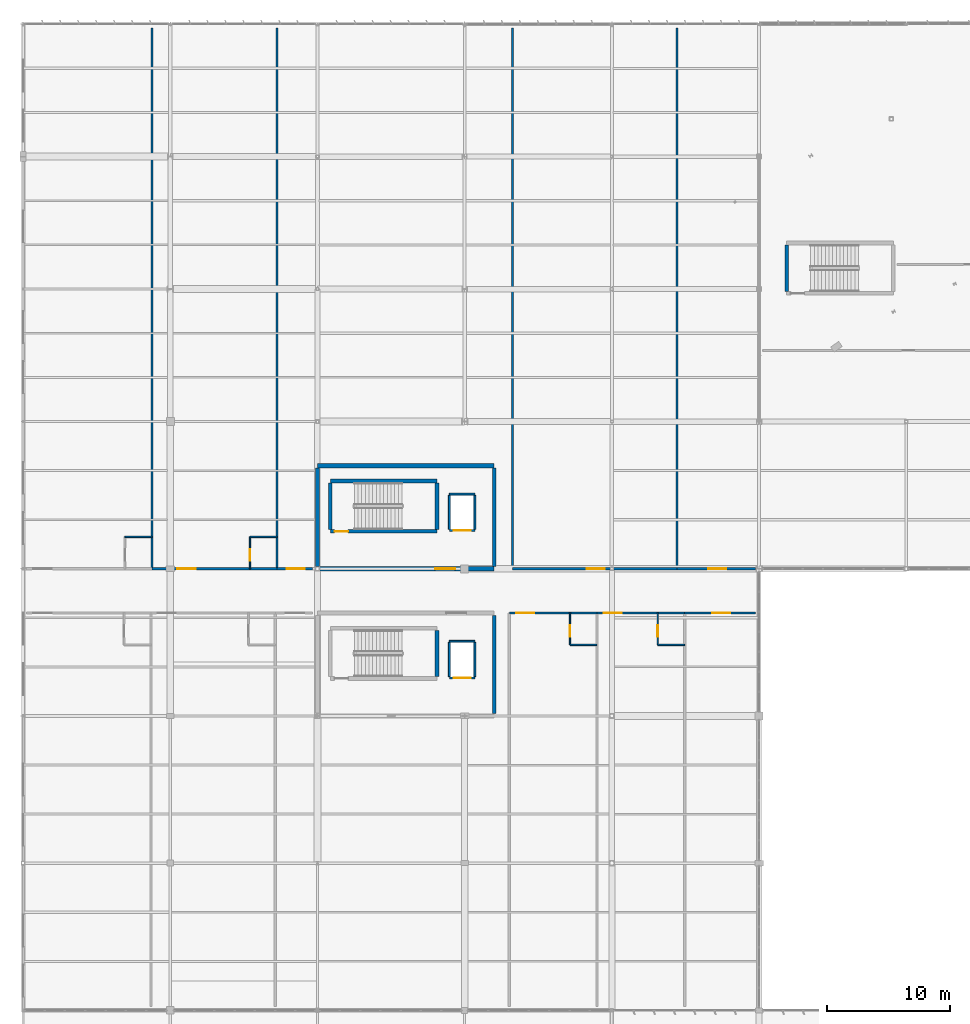
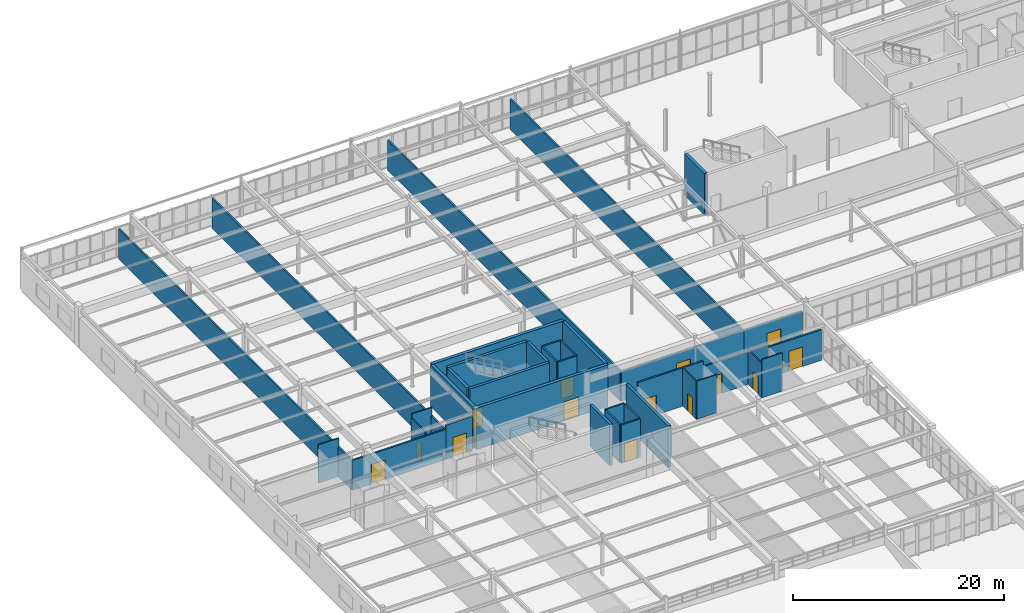
# One storey, part 194 of 226: 37 walls, 14 doors, 14 openings.
"""IFC4 building model written with IfcOpenShell, lengths in metres."""

from ifc_helpers import new_model, si_unit, direction, frame, frame_2d, origin, place, context, subcontext, project, spatial, rectangle, extrude, material, layer, layer_set, type_object, element, fill, save


model = new_model("IFC4")

# Units and contexts
model_context = context("Model", 3, precision=1e-05, world=origin(), true_north=direction((0.0, 1.0)))
body_context = subcontext(model_context, "Body", "Model", "MODEL_VIEW")
ifc_project = project(units=[si_unit("LENGTHUNIT", "METRE"), si_unit("AREAUNIT", "SQUARE_METRE"), si_unit("VOLUMEUNIT", "CUBIC_METRE"), si_unit("PLANEANGLEUNIT", "RADIAN"), si_unit("MASSUNIT", "GRAM", prefix="KILO")], contexts=[model_context])

# Site, building, storey
site_placement = place(None, origin())
site = spatial("IfcSite", under=ifc_project, at=site_placement, CompositionType="ELEMENT")
building_placement = place(site_placement, origin())
building = spatial("IfcBuilding", under=site, at=building_placement, Name="Tarnwether General Hospital", CompositionType="ELEMENT")
storey_placement = place(building_placement, frame((0.0, 0.0, 4.800048828125)))
storey = spatial("IfcBuildingStorey", under=building, at=storey_placement, Name="L01", CompositionType="ELEMENT", Elevation=4.800048828125)

# Wall, opening, door
ifc_material_1 = material(Name="Gypsum plasterboard")
ifc_layer_1 = layer(ifc_material_1, 0.1201171875)
ifc_layer_set_1 = layer_set([ifc_layer_1], Name="Gypsum plasterboard")
wall_type_1 = type_object("IfcWallType", Name="WL-PT120", PredefinedType="PARTITIONING", material=ifc_layer_set_1)
wall_1_placement = place(storey_placement, frame((44.5869140625, 75.39990234375, 0.0), z_axis=(0.0, 0.0, 1.0), x_axis=(0.0, 1.0, 0.0)))
wall_1 = element("IfcWall", 1, at=wall_1_placement, inside=storey, type_object=wall_type_1, Name="Interior Partition PT-L01-0173", PredefinedType="PARTITIONING", context=body_context, shape_type="SweptSolid", body=[
    extrude(rectangle(XDim=2.60009765625, YDim=0.1201171875, at=frame_2d((1.300048828125, 0.0))), origin(), (0.0, 0.0, 1.0), 4.429931640625),
])
opening_1_placement = place(wall_1_placement, frame((0.64990234375, 0.0, 0.0)))
opening_1 = element("IfcOpeningElement", 2, at=opening_1_placement, cuts=wall_1, Name="Opening D-10", PredefinedType="OPENING", context=body_context, shape_type="SweptSolid", body=[
    extrude(rectangle(XDim=0.9599609375, YDim=2.06005859375, at=frame_2d((0.47998046875, 1.030029296875))), frame((0.0, 0.070068359375, 0.0), z_axis=(0.0, -1.0, 0.0), x_axis=(1.0, 0.0, 0.0)), (0.0, 0.0, 1.0), 0.14013671875),
])
ifc_material_2 = material(Name="Anodised aluminium", Category="aluminium")
door_type_1 = type_object("IfcDoorType", Name="DR-IN10", OperationType="NOTDEFINED", PredefinedType="DOOR", material=ifc_material_2)
door_1_placement = place(opening_1_placement, origin())
door_1 = element("IfcDoor", 3, at=door_1_placement, inside=storey, type_object=door_type_1, Name="Interior Door DR-L01-0096", OperationType="SINGLE_SWING_RIGHT", OverallHeight=2.06005859375, OverallWidth=0.9599609375, PredefinedType="DOOR", context=body_context, shape_type="SweptSolid", body=[
    extrude(rectangle(XDim=0.9599609375, YDim=2.06005859375, at=frame_2d((0.47998046875, 1.030029296875))), frame((0.0, 0.02490234375, 0.0), z_axis=(0.0, -1.0, 0.0), x_axis=(1.0, 0.0, 0.0)), (0.0, 0.0, 1.0), 0.050048828125),
])
fill(opening_1, door_1)

# Wall
wall_2_placement = place(storey_placement, frame((44.5869140625, 75.39990234375, 0.0), z_axis=(0.0, 0.0, 1.0), x_axis=(1.0, 0.0, 0.0)))
element("IfcWall", 4, at=wall_2_placement, inside=storey, type_object=wall_type_1, Name="Interior Partition PT-L01-0174", PredefinedType="PARTITIONING", context=body_context, shape_type="SweptSolid", body=[
    extrude(rectangle(XDim=2.2001953125, YDim=0.1201171875, at=frame_2d((1.10009765625, 0.0))), origin(), (0.0, 0.0, 1.0), 4.429931640625),
])

# Wall, opening, door
wall_3_placement = place(storey_placement, frame((51.739013671875, 75.39990234375, 0.0), z_axis=(0.0, 0.0, 1.0), x_axis=(0.0, 1.0, 0.0)))
wall_3 = element("IfcWall", 5, at=wall_3_placement, inside=storey, type_object=wall_type_1, Name="Interior Partition PT-L01-0177", PredefinedType="PARTITIONING", context=body_context, shape_type="SweptSolid", body=[
    extrude(rectangle(XDim=2.60009765625, YDim=0.1201171875, at=frame_2d((1.300048828125, 0.0))), origin(), (0.0, 0.0, 1.0), 4.009033203125),
])
opening_2_placement = place(wall_3_placement, frame((0.64990234375, 0.0, 0.0)))
opening_2 = element("IfcOpeningElement", 6, at=opening_2_placement, cuts=wall_3, Name="Opening D-10", PredefinedType="OPENING", context=body_context, shape_type="SweptSolid", body=[
    extrude(rectangle(XDim=0.9599609375, YDim=2.06005859375, at=frame_2d((0.47998046875, 1.030029296875))), frame((0.0, 0.070068359375, 0.0), z_axis=(0.0, -1.0, 0.0), x_axis=(1.0, 0.0, 0.0)), (0.0, 0.0, 1.0), 0.14013671875),
])
door_2_placement = place(opening_2_placement, origin())
door_2 = element("IfcDoor", 7, at=door_2_placement, inside=storey, type_object=door_type_1, Name="Interior Door DR-L01-0098", OperationType="SINGLE_SWING_RIGHT", OverallHeight=2.06005859375, OverallWidth=0.9599609375, PredefinedType="DOOR", context=body_context, shape_type="SweptSolid", body=[
    extrude(rectangle(XDim=0.9599609375, YDim=2.06005859375, at=frame_2d((0.47998046875, 1.030029296875))), frame((0.0, 0.02490234375, 0.0), z_axis=(0.0, -1.0, 0.0), x_axis=(1.0, 0.0, 0.0)), (0.0, 0.0, 1.0), 0.050048828125),
])
fill(opening_2, door_2)

# Walls
for number, where, z_axis, x_axis, name in (
    (8, (51.739013671875, 75.39990234375, 0.0), (0.0, 0.0, 1.0), (1.0, 0.0, 0.0), "Interior Partition PT-L01-0178"),
    (9, (8.300048828125, 84.199951171875, 0.0), (0.0, 0.0, 1.0), (1.0, 0.0, 0.0), "Interior Partition PT-L01-0183"),
):
    element("IfcWall", number, at=place(storey_placement, frame(where, z_axis=z_axis, x_axis=x_axis)), inside=storey, type_object=wall_type_1, Name=name, PredefinedType="PARTITIONING", context=body_context, shape_type="SweptSolid", body=[
        extrude(rectangle(XDim=2.199951171875, YDim=0.1201171875, at=frame_2d((1.10009765625, 0.0))), origin(), (0.0, 0.0, 1.0), 4.429931640625),
    ])

# Wall, opening, door
wall_4_placement = place(storey_placement, frame((18.5, 81.60009765625, 0.0), z_axis=(0.0, 0.0, 1.0), x_axis=(0.0, 1.0, 0.0)))
wall_4 = element("IfcWall", 10, at=wall_4_placement, inside=storey, type_object=wall_type_1, Name="Interior Partition PT-L01-0186", PredefinedType="PARTITIONING", context=body_context, shape_type="SweptSolid", body=[
    extrude(rectangle(XDim=2.599853515625, YDim=0.1201171875, at=frame_2d((1.2998046875, 0.0))), origin(), (0.0, 0.0, 1.0), 3.9580078125),
])
opening_3_placement = place(wall_4_placement, frame((0.64990234375, 0.0, 0.0)))
opening_3 = element("IfcOpeningElement", 11, at=opening_3_placement, cuts=wall_4, Name="Opening D-10", PredefinedType="OPENING", context=body_context, shape_type="SweptSolid", body=[
    extrude(rectangle(XDim=0.9599609375, YDim=2.06005859375, at=frame_2d((0.47998046875, 1.030029296875))), frame((0.0, 0.070068359375, 0.0), z_axis=(0.0, -1.0, 0.0), x_axis=(1.0, 0.0, 0.0)), (0.0, 0.0, 1.0), 0.14013671875),
])
door_3_placement = place(opening_3_placement, origin())
door_3 = element("IfcDoor", 12, at=door_3_placement, inside=storey, type_object=door_type_1, Name="Interior Door DR-L01-0103", OperationType="SINGLE_SWING_LEFT", OverallHeight=2.06005859375, OverallWidth=0.9599609375, PredefinedType="DOOR", context=body_context, shape_type="SweptSolid", body=[
    extrude(rectangle(XDim=0.9599609375, YDim=2.06005859375, at=frame_2d((0.47998046875, 1.030029296875))), frame((0.0, 0.02490234375, 0.0), z_axis=(0.0, -1.0, 0.0), x_axis=(1.0, 0.0, 0.0)), (0.0, 0.0, 1.0), 0.050048828125),
])
fill(opening_3, door_3)

# Wall
wall_5_placement = place(storey_placement, frame((18.5, 84.199951171875, 0.0), z_axis=(0.0, 0.0, 1.0), x_axis=(1.0, 0.0, 0.0)))
element("IfcWall", 13, at=wall_5_placement, inside=storey, type_object=wall_type_1, Name="Interior Partition PT-L01-0187", PredefinedType="PARTITIONING", context=body_context, shape_type="SweptSolid", body=[
    extrude(rectangle(XDim=2.199951171875, YDim=0.1201171875, at=frame_2d((1.10009765625, 0.0))), origin(), (0.0, 0.0, 1.0), 4.429931640625),
])

# Wall, opening, door
ifc_material_3 = material(Name="Gypsum plasterboard")
ifc_layer_2 = layer(ifc_material_3, 0.159912109375)
ifc_layer_set_2 = layer_set([ifc_layer_2], Name="Gypsum plasterboard")
wall_type_2 = type_object("IfcWallType", Name="WL-PT160", PredefinedType="PARTITIONING", material=ifc_layer_set_2)
wall_6_placement = place(storey_placement, frame((34.760009765625, 72.7099609375, 0.0), z_axis=(0.0, 0.0, 1.0), x_axis=(1.0, 0.0, 0.0)))
wall_6 = element("IfcWall", 14, at=wall_6_placement, inside=storey, type_object=wall_type_2, Name="Lift L-07 Shaft Wall LSH-L-07-L01-S", PredefinedType="PARTITIONING", context=body_context, shape_type="SweptSolid", body=[
    extrude(rectangle(XDim=2.080078125, YDim=0.159912109375, at=frame_2d((1.0400390625, 0.0))), origin(), (0.0, 0.0, 1.0), 4.429931640625),
])
opening_4_placement = place(wall_6_placement, frame((0.340087890625, 0.0, 0.0)))
opening_4 = element("IfcOpeningElement", 15, at=opening_4_placement, cuts=wall_6, Name="Opening LD-01", PredefinedType="OPENING", context=body_context, shape_type="SweptSolid", body=[
    extrude(rectangle(XDim=1.39990234375, YDim=2.199951171875, at=frame_2d((0.699951171875, 1.10009765625))), frame((0.0, 0.08984375, 0.0), z_axis=(0.0, -1.0, 0.0), x_axis=(1.0, 0.0, 0.0)), (0.0, 0.0, 1.0), 0.179931640625),
])
ifc_material_4 = material(Name="Anodised aluminium", Category="aluminium")
door_type_2 = type_object("IfcDoorType", Name="DR-LD01", OperationType="NOTDEFINED", PredefinedType="DOOR", material=ifc_material_4)
door_4_placement = place(opening_4_placement, origin())
door_4 = element("IfcDoor", 16, at=door_4_placement, inside=storey, type_object=door_type_2, Name="Lift L-07 Sliding Landing Door L01", OperationType="SLIDING_TO_LEFT", OverallHeight=2.199951171875, OverallWidth=1.39990234375, PredefinedType="DOOR", context=body_context, shape_type="SweptSolid", body=[
    extrude(rectangle(XDim=1.39990234375, YDim=2.199951171875, at=frame_2d((0.699951171875, 1.10009765625))), frame((0.0, 0.02490234375, 0.0), z_axis=(0.0, -1.0, 0.0), x_axis=(1.0, 0.0, 0.0)), (0.0, 0.0, 1.0), 0.050048828125),
])
fill(opening_4, door_4)

# Walls
wall_7_placement = place(storey_placement, frame((36.840087890625, 75.68994140625, 0.0), z_axis=(0.0, 0.0, 1.0), x_axis=(-1.0, 0.0, 0.0)))
element("IfcWall", 17, at=wall_7_placement, inside=storey, type_object=wall_type_2, Name="Lift L-07 Shaft Wall LSH-L-07-L01-N", PredefinedType="PARTITIONING", context=body_context, shape_type="SweptSolid", body=[
    extrude(rectangle(XDim=2.080078125, YDim=0.159912109375, at=frame_2d((1.0400390625, 0.0))), origin(), (0.0, 0.0, 1.0), 4.429931640625),
])
for number, where, z_axis, x_axis, name in (
    (18, (34.760009765625, 75.590087890625, 0.0), (0.0, 0.0, 1.0), (0.0, -1.0, 0.0), "Lift L-07 Shaft Wall LSH-L-07-L01-W"),
    (19, (36.840087890625, 72.81005859375, 0.0), (0.0, 0.0, 1.0), (0.0, 1.0, 0.0), "Lift L-07 Shaft Wall LSH-L-07-L01-E"),
):
    element("IfcWall", number, at=place(storey_placement, frame(where, z_axis=z_axis, x_axis=x_axis)), inside=storey, type_object=wall_type_2, Name=name, PredefinedType="PARTITIONING", context=body_context, shape_type="SweptSolid", body=[
        extrude(rectangle(XDim=2.780029296875, YDim=0.159912109375, at=frame_2d((1.39013671875, 0.0))), origin(), (0.0, 0.0, 1.0), 4.429931640625),
    ])

# Wall, opening, door
wall_8_placement = place(storey_placement, frame((34.760009765625, 84.7099609375, 0.0), z_axis=(0.0, 0.0, 1.0), x_axis=(1.0, 0.0, 0.0)))
wall_8 = element("IfcWall", 20, at=wall_8_placement, inside=storey, type_object=wall_type_2, Name="Lift L-08 Shaft Wall LSH-L-08-L01-S", PredefinedType="PARTITIONING", context=body_context, shape_type="SweptSolid", body=[
    extrude(rectangle(XDim=2.080078125, YDim=0.159912109375, at=frame_2d((1.0400390625, 0.0))), origin(), (0.0, 0.0, 1.0), 4.429931640625),
])
opening_5_placement = place(wall_8_placement, frame((0.340087890625, 0.0, 0.0)))
opening_5 = element("IfcOpeningElement", 21, at=opening_5_placement, cuts=wall_8, Name="Opening LD-01", PredefinedType="OPENING", context=body_context, shape_type="SweptSolid", body=[
    extrude(rectangle(XDim=1.39990234375, YDim=2.199951171875, at=frame_2d((0.699951171875, 1.10009765625))), frame((0.0, 0.08984375, 0.0), z_axis=(0.0, -1.0, 0.0), x_axis=(1.0, 0.0, 0.0)), (0.0, 0.0, 1.0), 0.179931640625),
])
door_5_placement = place(opening_5_placement, origin())
door_5 = element("IfcDoor", 22, at=door_5_placement, inside=storey, type_object=door_type_2, Name="Lift L-08 Sliding Landing Door L01", OperationType="SLIDING_TO_LEFT", OverallHeight=2.199951171875, OverallWidth=1.39990234375, PredefinedType="DOOR", context=body_context, shape_type="SweptSolid", body=[
    extrude(rectangle(XDim=1.39990234375, YDim=2.199951171875, at=frame_2d((0.699951171875, 1.10009765625))), frame((0.0, 0.02490234375, 0.0), z_axis=(0.0, -1.0, 0.0), x_axis=(1.0, 0.0, 0.0)), (0.0, 0.0, 1.0), 0.050048828125),
])
fill(opening_5, door_5)

# Walls
wall_9_placement = place(storey_placement, frame((36.840087890625, 87.68994140625, 0.0), z_axis=(0.0, 0.0, 1.0), x_axis=(-1.0, 0.0, 0.0)))
element("IfcWall", 23, at=wall_9_placement, inside=storey, type_object=wall_type_2, Name="Lift L-08 Shaft Wall LSH-L-08-L01-N", PredefinedType="PARTITIONING", context=body_context, shape_type="SweptSolid", body=[
    extrude(rectangle(XDim=2.080078125, YDim=0.159912109375, at=frame_2d((1.0400390625, 0.0))), origin(), (0.0, 0.0, 1.0), 4.429931640625),
])
for number, where, z_axis, x_axis, name in (
    (24, (34.760009765625, 87.590087890625, 0.0), (0.0, 0.0, 1.0), (0.0, -1.0, 0.0), "Lift L-08 Shaft Wall LSH-L-08-L01-W"),
    (25, (36.840087890625, 84.81005859375, 0.0), (0.0, 0.0, 1.0), (0.0, 1.0, 0.0), "Lift L-08 Shaft Wall LSH-L-08-L01-E"),
):
    element("IfcWall", number, at=place(storey_placement, frame(where, z_axis=z_axis, x_axis=x_axis)), inside=storey, type_object=wall_type_2, Name=name, PredefinedType="PARTITIONING", context=body_context, shape_type="SweptSolid", body=[
        extrude(rectangle(XDim=2.780029296875, YDim=0.159912109375, at=frame_2d((1.39013671875, 0.0))), origin(), (0.0, 0.0, 1.0), 4.429931640625),
    ])

# Wall, opening, door
ifc_material_5 = material(Name="Gypsum plasterboard")
ifc_layer_3 = layer(ifc_material_5, 0.179931640625)
ifc_layer_set_3 = layer_set([ifc_layer_3], Name="Gypsum plasterboard")
wall_type_3 = type_object("IfcWallType", Name="WL-PT180", PredefinedType="PARTITIONING", material=ifc_layer_set_3)
wall_10_placement = place(storey_placement, frame((39.635009765625, 78.0, 0.0), z_axis=(0.0, 0.0, 1.0), x_axis=(1.0, 0.0, 0.0)))
wall_10 = element("IfcWall", 26, at=wall_10_placement, inside=storey, type_object=wall_type_3, Name="Interior Partition PT-L01-0175", PredefinedType="PARTITIONING", context=body_context, shape_type="SweptSolid", body=[
    extrude(rectangle(XDim=7.152099609375, YDim=0.179931640625, at=frame_2d((3.576171875, 0.0))), origin(), (0.0, 0.0, 1.0), 4.429931640625),
])
opening_6_placement = place(wall_10_placement, frame((0.550048828125, 0.0, 0.0)))
opening_6 = element("IfcOpeningElement", 27, at=opening_6_placement, cuts=wall_10, Name="Opening SD-03", PredefinedType="OPENING", context=body_context, shape_type="SweptSolid", body=[
    extrude(rectangle(XDim=1.47998046875, YDim=2.260009765625, at=frame_2d((0.739990234375, 1.1298828125))), frame((0.0, 0.10009765625, 0.0), z_axis=(0.0, -1.0, 0.0), x_axis=(1.0, 0.0, 0.0)), (0.0, 0.0, 1.0), 0.199951171875),
])
ifc_material_6 = material(Name="Anodised aluminium", Category="aluminium")
door_type_3 = type_object("IfcDoorType", Name="DR-OR03", OperationType="NOTDEFINED", PredefinedType="DOOR", material=ifc_material_6)
door_6_placement = place(opening_6_placement, origin())
door_6 = element("IfcDoor", 28, at=door_6_placement, inside=storey, type_object=door_type_3, Name="Interior Door DR-L01-0097", OperationType="SLIDING_TO_LEFT", OverallHeight=2.260009765625, OverallWidth=1.47998046875, PredefinedType="DOOR", context=body_context, shape_type="SweptSolid", body=[
    extrude(rectangle(XDim=1.47998046875, YDim=2.260009765625, at=frame_2d((0.739990234375, 1.1298828125))), frame((0.0, 0.02490234375, 0.0), z_axis=(0.0, -1.0, 0.0), x_axis=(1.0, 0.0, 0.0)), (0.0, 0.0, 1.0), 0.050048828125),
])
fill(opening_6, door_6)

wall_11_placement = place(storey_placement, frame((46.787109375, 78.0, 0.0), z_axis=(0.0, 0.0, 1.0), x_axis=(1.0, 0.0, 0.0)))
wall_11 = element("IfcWall", 29, at=wall_11_placement, inside=storey, type_object=wall_type_3, Name="Interior Partition PT-L01-0179", PredefinedType="PARTITIONING", context=body_context, shape_type="SweptSolid", body=[
    extrude(rectangle(XDim=7.15185546875, YDim=0.179931640625, at=frame_2d((3.575927734375, 0.0))), origin(), (0.0, 0.0, 1.0), 3.764892578125),
])
opening_7_placement = place(wall_11_placement, frame((0.550048828125, 0.0, 0.0)))
opening_7 = element("IfcOpeningElement", 30, at=opening_7_placement, cuts=wall_11, Name="Opening SD-03", PredefinedType="OPENING", context=body_context, shape_type="SweptSolid", body=[
    extrude(rectangle(XDim=1.47998046875, YDim=2.260009765625, at=frame_2d((0.739990234375, 1.1298828125))), frame((0.0, 0.10009765625, 0.0), z_axis=(0.0, -1.0, 0.0), x_axis=(1.0, 0.0, 0.0)), (0.0, 0.0, 1.0), 0.199951171875),
])
door_7_placement = place(opening_7_placement, origin())
door_7 = element("IfcDoor", 31, at=door_7_placement, inside=storey, type_object=door_type_3, Name="Interior Door DR-L01-0099", OperationType="SLIDING_TO_LEFT", OverallHeight=2.260009765625, OverallWidth=1.47998046875, PredefinedType="DOOR", context=body_context, shape_type="SweptSolid", body=[
    extrude(rectangle(XDim=1.47998046875, YDim=2.260009765625, at=frame_2d((0.739990234375, 1.1298828125))), frame((0.0, 0.02490234375, 0.0), z_axis=(0.0, -1.0, 0.0), x_axis=(1.0, 0.0, 0.0)), (0.0, 0.0, 1.0), 0.050048828125),
])
fill(opening_7, door_7)

wall_12_placement = place(storey_placement, frame((53.93896484375, 78.0, 0.0), z_axis=(0.0, 0.0, 1.0), x_axis=(1.0, 0.0, 0.0)))
wall_12 = element("IfcWall", 32, at=wall_12_placement, inside=storey, type_object=wall_type_3, Name="Interior Partition PT-L01-0181", PredefinedType="PARTITIONING", context=body_context, shape_type="SweptSolid", body=[
    extrude(rectangle(XDim=5.760986328125, YDim=0.179931640625, at=frame_2d((2.88037109375, 0.0))), origin(), (0.0, 0.0, 1.0), 3.530029296875),
])
opening_8_placement = place(wall_12_placement, frame((2.23095703125, 0.0, 0.0)))
opening_8 = element("IfcOpeningElement", 33, at=opening_8_placement, cuts=wall_12, Name="Opening SD-03", PredefinedType="OPENING", context=body_context, shape_type="SweptSolid", body=[
    extrude(rectangle(XDim=1.47998046875, YDim=2.260009765625, at=frame_2d((0.739990234375, 1.1298828125))), frame((0.0, 0.10009765625, 0.0), z_axis=(0.0, -1.0, 0.0), x_axis=(1.0, 0.0, 0.0)), (0.0, 0.0, 1.0), 0.199951171875),
])
door_8_placement = place(opening_8_placement, origin())
door_8 = element("IfcDoor", 34, at=door_8_placement, inside=storey, type_object=door_type_3, Name="Interior Door DR-L01-0100", OperationType="SLIDING_TO_LEFT", OverallHeight=2.260009765625, OverallWidth=1.47998046875, PredefinedType="DOOR", context=body_context, shape_type="SweptSolid", body=[
    extrude(rectangle(XDim=1.47998046875, YDim=2.260009765625, at=frame_2d((0.739990234375, 1.1298828125))), frame((0.0, 0.02490234375, 0.0), z_axis=(0.0, -1.0, 0.0), x_axis=(1.0, 0.0, 0.0)), (0.0, 0.0, 1.0), 0.050048828125),
])
fill(opening_8, door_8)

# Wall
wall_13_placement = place(storey_placement, frame((10.5, 81.60009765625, 0.0), z_axis=(0.0, 0.0, 1.0), x_axis=(0.0, 1.0, 0.0)))
element("IfcWall", 35, at=wall_13_placement, inside=storey, type_object=wall_type_3, Name="Interior Partition PT-L01-0185", PredefinedType="PARTITIONING", context=body_context, shape_type="SweptSolid", body=[
    extrude(rectangle(XDim=44.099853515625, YDim=0.179931640625, at=frame_2d((22.0498046875, 0.0))), origin(), (0.0, 0.0, 1.0), 3.46484375),
])

# Wall, opening, door
wall_14_placement = place(storey_placement, frame((10.5, 81.60009765625, 0.0), z_axis=(0.0, 0.0, 1.0), x_axis=(1.0, 0.0, 0.0)))
wall_14 = element("IfcWall", 36, at=wall_14_placement, inside=storey, type_object=wall_type_3, Name="Interior Partition PT-L01-0188", PredefinedType="PARTITIONING", context=body_context, shape_type="SweptSolid", body=[
    extrude(rectangle(XDim=10.199951171875, YDim=0.179931640625, at=frame_2d((5.10009765625, 0.0))), origin(), (0.0, 0.0, 1.0), 3.46484375),
])
opening_9_placement = place(wall_14_placement, frame((2.076904296875, 0.0, 0.0)))
opening_9 = element("IfcOpeningElement", 37, at=opening_9_placement, cuts=wall_14, Name="Opening SD-03", PredefinedType="OPENING", context=body_context, shape_type="SweptSolid", body=[
    extrude(rectangle(XDim=1.47998046875, YDim=2.260009765625, at=frame_2d((0.739990234375, 1.1298828125))), frame((0.0, 0.10009765625, 0.0), z_axis=(0.0, -1.0, 0.0), x_axis=(1.0, 0.0, 0.0)), (0.0, 0.0, 1.0), 0.199951171875),
])
door_9_placement = place(opening_9_placement, origin())
door_9 = element("IfcDoor", 38, at=door_9_placement, inside=storey, type_object=door_type_3, Name="Interior Door DR-L01-0104", OperationType="SLIDING_TO_LEFT", OverallHeight=2.260009765625, OverallWidth=1.47998046875, PredefinedType="DOOR", context=body_context, shape_type="SweptSolid", body=[
    extrude(rectangle(XDim=1.47998046875, YDim=2.260009765625, at=frame_2d((0.739990234375, 1.1298828125))), frame((0.0, 0.02490234375, 0.0), z_axis=(0.0, -1.0, 0.0), x_axis=(1.0, 0.0, 0.0)), (0.0, 0.0, 1.0), 0.050048828125),
])
fill(opening_9, door_9)

# Wall
wall_15_placement = place(storey_placement, frame((20.699951171875, 81.60009765625, 0.0), z_axis=(0.0, 0.0, 1.0), x_axis=(0.0, 1.0, 0.0)))
element("IfcWall", 39, at=wall_15_placement, inside=storey, type_object=wall_type_3, Name="Interior Partition PT-L01-0189", PredefinedType="PARTITIONING", context=body_context, shape_type="SweptSolid", body=[
    extrude(rectangle(XDim=44.099853515625, YDim=0.179931640625, at=frame_2d((22.0498046875, 0.0))), origin(), (0.0, 0.0, 1.0), 3.46484375),
])

# Wall, opening, door
wall_16_placement = place(storey_placement, frame((20.699951171875, 81.60009765625, 0.0), z_axis=(0.0, 0.0, 1.0), x_axis=(1.0, 0.0, 0.0)))
wall_16 = element("IfcWall", 40, at=wall_16_placement, inside=storey, type_object=wall_type_3, Name="Interior Partition PT-L01-0190", PredefinedType="PARTITIONING", context=body_context, shape_type="SweptSolid", body=[
    extrude(rectangle(XDim=2.900146484375, YDim=0.179931640625, at=frame_2d((1.4501953125, 0.0))), origin(), (0.0, 0.0, 1.0), 3.9580078125),
])
opening_10_placement = place(wall_16_placement, frame((0.800048828125, 0.0, 0.0)))
opening_10 = element("IfcOpeningElement", 41, at=opening_10_placement, cuts=wall_16, Name="Opening SD-03", PredefinedType="OPENING", context=body_context, shape_type="SweptSolid", body=[
    extrude(rectangle(XDim=1.47998046875, YDim=2.260009765625, at=frame_2d((0.739990234375, 1.1298828125))), frame((0.0, 0.10009765625, 0.0), z_axis=(0.0, -1.0, 0.0), x_axis=(1.0, 0.0, 0.0)), (0.0, 0.0, 1.0), 0.199951171875),
])
door_10_placement = place(opening_10_placement, origin())
door_10 = element("IfcDoor", 42, at=door_10_placement, inside=storey, type_object=door_type_3, Name="Interior Door DR-L01-0105", OperationType="SLIDING_TO_LEFT", OverallHeight=2.260009765625, OverallWidth=1.47998046875, PredefinedType="DOOR", context=body_context, shape_type="SweptSolid", body=[
    extrude(rectangle(XDim=1.47998046875, YDim=2.260009765625, at=frame_2d((0.739990234375, 1.1298828125))), frame((0.0, 0.02490234375, 0.0), z_axis=(0.0, -1.0, 0.0), x_axis=(1.0, 0.0, 0.0)), (0.0, 0.0, 1.0), 0.050048828125),
])
fill(opening_10, door_10)

# Wall
wall_17_placement = place(storey_placement, frame((39.89990234375, 81.60009765625, 0.0), z_axis=(0.0, 0.0, 1.0), x_axis=(0.0, 1.0, 0.0)))
element("IfcWall", 43, at=wall_17_placement, inside=storey, type_object=wall_type_3, Name="Interior Partition PT-L01-0191", PredefinedType="PARTITIONING", context=body_context, shape_type="SweptSolid", body=[
    extrude(rectangle(XDim=44.099853515625, YDim=0.179931640625, at=frame_2d((22.0498046875, 0.0))), origin(), (0.0, 0.0, 1.0), 3.46484375),
])

# Wall, opening, door
wall_18_placement = place(storey_placement, frame((39.89990234375, 81.60009765625, 0.0), z_axis=(0.0, 0.0, 1.0), x_axis=(1.0, 0.0, 0.0)))
wall_18 = element("IfcWall", 44, at=wall_18_placement, inside=storey, type_object=wall_type_3, Name="Interior Partition PT-L01-0192", PredefinedType="PARTITIONING", context=body_context, shape_type="SweptSolid", body=[
    extrude(rectangle(XDim=13.400146484375, YDim=0.179931640625, at=frame_2d((6.7001953125, 0.0))), origin(), (0.0, 0.0, 1.0), 3.46484375),
])
opening_11_placement = place(wall_18_placement, frame((6.050048828125, 0.0, 0.0)))
opening_11 = element("IfcOpeningElement", 45, at=opening_11_placement, cuts=wall_18, Name="Opening SD-03", PredefinedType="OPENING", context=body_context, shape_type="SweptSolid", body=[
    extrude(rectangle(XDim=1.47998046875, YDim=2.260009765625, at=frame_2d((0.739990234375, 1.1298828125))), frame((0.0, 0.10009765625, 0.0), z_axis=(0.0, -1.0, 0.0), x_axis=(1.0, 0.0, 0.0)), (0.0, 0.0, 1.0), 0.199951171875),
])
door_11_placement = place(opening_11_placement, origin())
door_11 = element("IfcDoor", 46, at=door_11_placement, inside=storey, type_object=door_type_3, Name="Interior Door DR-L01-0106", OperationType="SLIDING_TO_LEFT", OverallHeight=2.260009765625, OverallWidth=1.47998046875, PredefinedType="DOOR", context=body_context, shape_type="SweptSolid", body=[
    extrude(rectangle(XDim=1.47998046875, YDim=2.260009765625, at=frame_2d((0.739990234375, 1.1298828125))), frame((0.0, 0.02490234375, 0.0), z_axis=(0.0, -1.0, 0.0), x_axis=(1.0, 0.0, 0.0)), (0.0, 0.0, 1.0), 0.050048828125),
])
fill(opening_11, door_11)

# Wall
wall_19_placement = place(storey_placement, frame((53.300048828125, 81.60009765625, 0.0), z_axis=(0.0, 0.0, 1.0), x_axis=(0.0, 1.0, 0.0)))
element("IfcWall", 47, at=wall_19_placement, inside=storey, type_object=wall_type_3, Name="Interior Partition PT-L01-0193", PredefinedType="PARTITIONING", context=body_context, shape_type="SweptSolid", body=[
    extrude(rectangle(XDim=44.099853515625, YDim=0.179931640625, at=frame_2d((22.0498046875, 0.0))), origin(), (0.0, 0.0, 1.0), 3.514892578125),
])

# Wall, opening, door
wall_20_placement = place(storey_placement, frame((53.300048828125, 81.60009765625, 0.0), z_axis=(0.0, 0.0, 1.0), x_axis=(1.0, 0.0, 0.0)))
wall_20 = element("IfcWall", 48, at=wall_20_placement, inside=storey, type_object=wall_type_3, Name="Interior Partition PT-L01-0194", PredefinedType="PARTITIONING", context=body_context, shape_type="SweptSolid", body=[
    extrude(rectangle(XDim=6.39990234375, YDim=0.179931640625, at=frame_2d((3.199951171875, 0.0))), origin(), (0.0, 0.0, 1.0), 3.514892578125),
])
opening_12_placement = place(wall_20_placement, frame((2.550048828125, 0.0, 0.0)))
opening_12 = element("IfcOpeningElement", 49, at=opening_12_placement, cuts=wall_20, Name="Opening SD-03", PredefinedType="OPENING", context=body_context, shape_type="SweptSolid", body=[
    extrude(rectangle(XDim=1.47998046875, YDim=2.260009765625, at=frame_2d((0.739990234375, 1.1298828125))), frame((0.0, 0.10009765625, 0.0), z_axis=(0.0, -1.0, 0.0), x_axis=(1.0, 0.0, 0.0)), (0.0, 0.0, 1.0), 0.199951171875),
])
door_12_placement = place(opening_12_placement, origin())
door_12 = element("IfcDoor", 50, at=door_12_placement, inside=storey, type_object=door_type_3, Name="Interior Door DR-L01-0107", OperationType="SLIDING_TO_LEFT", OverallHeight=2.260009765625, OverallWidth=1.47998046875, PredefinedType="DOOR", context=body_context, shape_type="SweptSolid", body=[
    extrude(rectangle(XDim=1.47998046875, YDim=2.260009765625, at=frame_2d((0.739990234375, 1.1298828125))), frame((0.0, 0.02490234375, 0.0), z_axis=(0.0, -1.0, 0.0), x_axis=(1.0, 0.0, 0.0)), (0.0, 0.0, 1.0), 0.050048828125),
])
fill(opening_12, door_12)

# Walls
ifc_material_7 = material(Name="Concrete 50 MPa", Category="concrete")
ifc_layer_4 = layer(ifc_material_7, 0.300048828125)
ifc_layer_set_4 = layer_set([ifc_layer_4], Name="Concrete 50 MPa")
wall_type_4 = type_object("IfcWallType", Name="WL-SW300", PredefinedType="SHEAR", material=ifc_layer_set_4)
for number, where, z_axis, x_axis, name in (
    (51, (38.39990234375, 77.800048828125, 0.0), (0.0, 0.0, 1.0), (0.0, -1.0, 0.0), "Core Shear Wall CWALL-K3-L01-E"),
    (52, (38.39990234375, 89.800048828125, 0.0), (0.0, 0.0, 1.0), (0.0, -1.0, 0.0), "Core Shear Wall CWALL-K4-L01-E"),
):
    element("IfcWall", number, at=place(storey_placement, frame(where, z_axis=z_axis, x_axis=x_axis)), inside=storey, type_object=wall_type_4, Name=name, PredefinedType="SHEAR", context=body_context, shape_type="SweptSolid", body=[
        extrude(rectangle(XDim=8.0, YDim=0.300048828125, at=frame_2d((4.0, 0.0))), origin(), (0.0, 0.0, 1.0), 4.800048828125),
    ])
wall_21_placement = place(storey_placement, frame((33.75, 72.820068359375, 0.0), z_axis=(0.0, 0.0, 1.0), x_axis=(0.0, 1.0, 0.0)))
element("IfcWall", 53, at=wall_21_placement, inside=storey, type_object=wall_type_4, Name="Stairwell Shear Wall STW-ST-03-L01-F", PredefinedType="SHEAR", context=body_context, shape_type="SweptSolid", body=[
    extrude(rectangle(XDim=3.760009765625, YDim=0.300048828125, at=frame_2d((1.8798828125, 0.0))), origin(), (0.0, 0.0, 1.0), 4.800048828125),
])

# Wall, opening, door
wall_22_placement = place(storey_placement, frame((25.050048828125, 84.64990234375, 0.0), z_axis=(0.0, 0.0, 1.0), x_axis=(1.0, 0.0, 0.0)))
wall_22 = element("IfcWall", 54, at=wall_22_placement, inside=storey, type_object=wall_type_4, Name="Stairwell Shear Wall STW-ST-04-L01-B", PredefinedType="SHEAR", context=body_context, shape_type="SweptSolid", body=[
    extrude(rectangle(XDim=8.699951171875, YDim=0.300048828125, at=frame_2d((4.35009765625, 0.0))), origin(), (0.0, 0.0, 1.0), 4.800048828125),
])
opening_13_placement = place(wall_22_placement, frame((0.35009765625, 0.0, 0.0)))
opening_13 = element("IfcOpeningElement", 55, at=opening_13_placement, cuts=wall_22, Name="Opening FD-06", PredefinedType="OPENING", context=body_context, shape_type="SweptSolid", body=[
    extrude(rectangle(XDim=1.10009765625, YDim=2.14990234375, at=frame_2d((0.550048828125, 1.074951171875))), frame((0.0, 0.16015625, 0.0), z_axis=(0.0, -1.0, 0.0), x_axis=(1.0, 0.0, 0.0)), (0.0, 0.0, 1.0), 0.320068359375),
])
ifc_material_8 = material(Name="Anodised aluminium", Category="aluminium")
door_type_4 = type_object("IfcDoorType", Name="DR-FD06", OperationType="NOTDEFINED", PredefinedType="DOOR", material=ifc_material_8)
door_13_placement = place(opening_13_placement, origin())
door_13 = element("IfcDoor", 56, at=door_13_placement, inside=storey, type_object=door_type_4, Name="Stairwell ST-04 Safe-Path Fire Door L01", OperationType="SINGLE_SWING_LEFT", OverallHeight=2.14990234375, OverallWidth=1.10009765625, PredefinedType="DOOR", context=body_context, shape_type="SweptSolid", body=[
    extrude(rectangle(XDim=1.10009765625, YDim=2.14990234375, at=frame_2d((0.550048828125, 1.074951171875))), frame((0.0, 0.02490234375, 0.0), z_axis=(0.0, -1.0, 0.0), x_axis=(1.0, 0.0, 0.0)), (0.0, 0.0, 1.0), 0.050048828125),
])
fill(opening_13, door_13)

# Walls
wall_23_placement = place(storey_placement, frame((33.75, 88.75, 0.0), z_axis=(0.0, 0.0, 1.0), x_axis=(-1.0, 0.0, 0.0)))
element("IfcWall", 57, at=wall_23_placement, inside=storey, type_object=wall_type_4, Name="Stairwell Shear Wall STW-ST-04-L01-N", PredefinedType="SHEAR", context=body_context, shape_type="SweptSolid", body=[
    extrude(rectangle(XDim=8.699951171875, YDim=0.300048828125, at=frame_2d((4.35009765625, 0.0))), origin(), (0.0, 0.0, 1.0), 4.800048828125),
])
for number, where, z_axis, x_axis, name in (
    (58, (25.050048828125, 84.820068359375, 0.0), (0.0, 0.0, 1.0), (0.0, 1.0, 0.0), "Stairwell Shear Wall STW-ST-04-L01-L"),
    (59, (33.75, 84.820068359375, 0.0), (0.0, 0.0, 1.0), (0.0, 1.0, 0.0), "Stairwell Shear Wall STW-ST-04-L01-F"),
    (60, (62.25, 104.219970703125, 0.0), (0.0, 0.0, 1.0), (0.0, 1.0, 0.0), "Stairwell Shear Wall STW-ST-07-L01-L"),
):
    element("IfcWall", number, at=place(storey_placement, frame(where, z_axis=z_axis, x_axis=x_axis)), inside=storey, type_object=wall_type_4, Name=name, PredefinedType="SHEAR", context=body_context, shape_type="SweptSolid", body=[
        extrude(rectangle(XDim=3.760009765625, YDim=0.300048828125, at=frame_2d((1.8798828125, 0.0))), origin(), (0.0, 0.0, 1.0), 4.800048828125),
    ])
ifc_material_9 = material(Name="Concrete 50 MPa", Category="concrete")
ifc_layer_5 = layer(ifc_material_9, 0.35009765625)
ifc_layer_set_5 = layer_set([ifc_layer_5], Name="Concrete 50 MPa")
wall_type_5 = type_object("IfcWallType", Name="WL-SW350", PredefinedType="SHEAR", material=ifc_layer_set_5)
wall_24_placement = place(storey_placement, frame((24.0, 90.0, 0.0), z_axis=(0.0, 0.0, 1.0), x_axis=(1.0, 0.0, 0.0)))
element("IfcWall", 61, at=wall_24_placement, inside=storey, type_object=wall_type_5, Name="Core Shear Wall CWALL-K4-L01-N", PredefinedType="SHEAR", context=body_context, shape_type="SweptSolid", body=[
    extrude(rectangle(XDim=14.39990234375, YDim=0.35009765625, at=frame_2d((7.199951171875, 0.0))), origin(), (0.0, 0.0, 1.0), 4.800048828125),
])

# Wall, opening, door
wall_25_placement = place(storey_placement, frame((38.39990234375, 81.60009765625, 0.0), z_axis=(0.0, 0.0, 1.0), x_axis=(-1.0, 0.0, 0.0)))
wall_25 = element("IfcWall", 62, at=wall_25_placement, inside=storey, type_object=wall_type_5, Name="Core Shear Wall CWALL-K4-L01-S", PredefinedType="SHEAR", context=body_context, shape_type="SweptSolid", body=[
    extrude(rectangle(XDim=14.39990234375, YDim=0.35009765625, at=frame_2d((7.199951171875, 0.0))), origin(), (0.0, 0.0, 1.0), 4.800048828125),
])
opening_14_placement = place(wall_25_placement, frame((3.172119140625, 0.0, 0.0)))
opening_14 = element("IfcOpeningElement", 63, at=opening_14_placement, cuts=wall_25, Name="Opening FD-01", PredefinedType="OPENING", context=body_context, shape_type="SweptSolid", body=[
    extrude(rectangle(XDim=1.639892578125, YDim=2.199951171875, at=frame_2d((0.81982421875, 1.10009765625))), frame((0.0, 0.18505859375, 0.0), z_axis=(0.0, -1.0, 0.0), x_axis=(1.0, 0.0, 0.0)), (0.0, 0.0, 1.0), 0.3701171875),
])
ifc_material_10 = material(Name="Anodised aluminium", Category="aluminium")
door_type_5 = type_object("IfcDoorType", Name="DR-FD01", OperationType="NOTDEFINED", PredefinedType="DOOR", material=ifc_material_10)
door_14_placement = place(opening_14_placement, origin())
door_14 = element("IfcDoor", 64, at=door_14_placement, inside=storey, type_object=door_type_5, Name="Core K4 Lobby Fire Door L01", OperationType="DOUBLE_DOOR_SINGLE_SWING", OverallHeight=2.199951171875, OverallWidth=1.639892578125, PredefinedType="DOOR", context=body_context, shape_type="SweptSolid", body=[
    extrude(rectangle(XDim=1.639892578125, YDim=2.199951171875, at=frame_2d((0.81982421875, 1.10009765625))), frame((0.0, 0.02490234375, 0.0), z_axis=(0.0, -1.0, 0.0), x_axis=(1.0, 0.0, 0.0)), (0.0, 0.0, 1.0), 0.050048828125),
])
fill(opening_14, door_14)

# Wall
wall_26_placement = place(storey_placement, frame((24.0, 81.800048828125, 0.0), z_axis=(0.0, 0.0, 1.0), x_axis=(0.0, 1.0, 0.0)))
element("IfcWall", 65, at=wall_26_placement, inside=storey, type_object=wall_type_5, Name="Core Shear Wall CWALL-K4-L01-W", PredefinedType="SHEAR", context=body_context, shape_type="SweptSolid", body=[
    extrude(rectangle(XDim=8.0, YDim=0.35009765625, at=frame_2d((4.0, 0.0))), origin(), (0.0, 0.0, 1.0), 4.800048828125),
])

save(model, "model.ifc")
